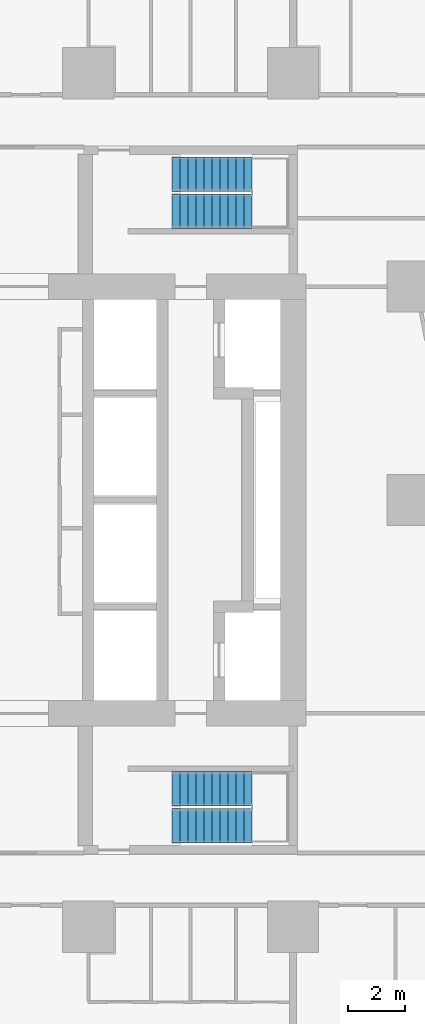
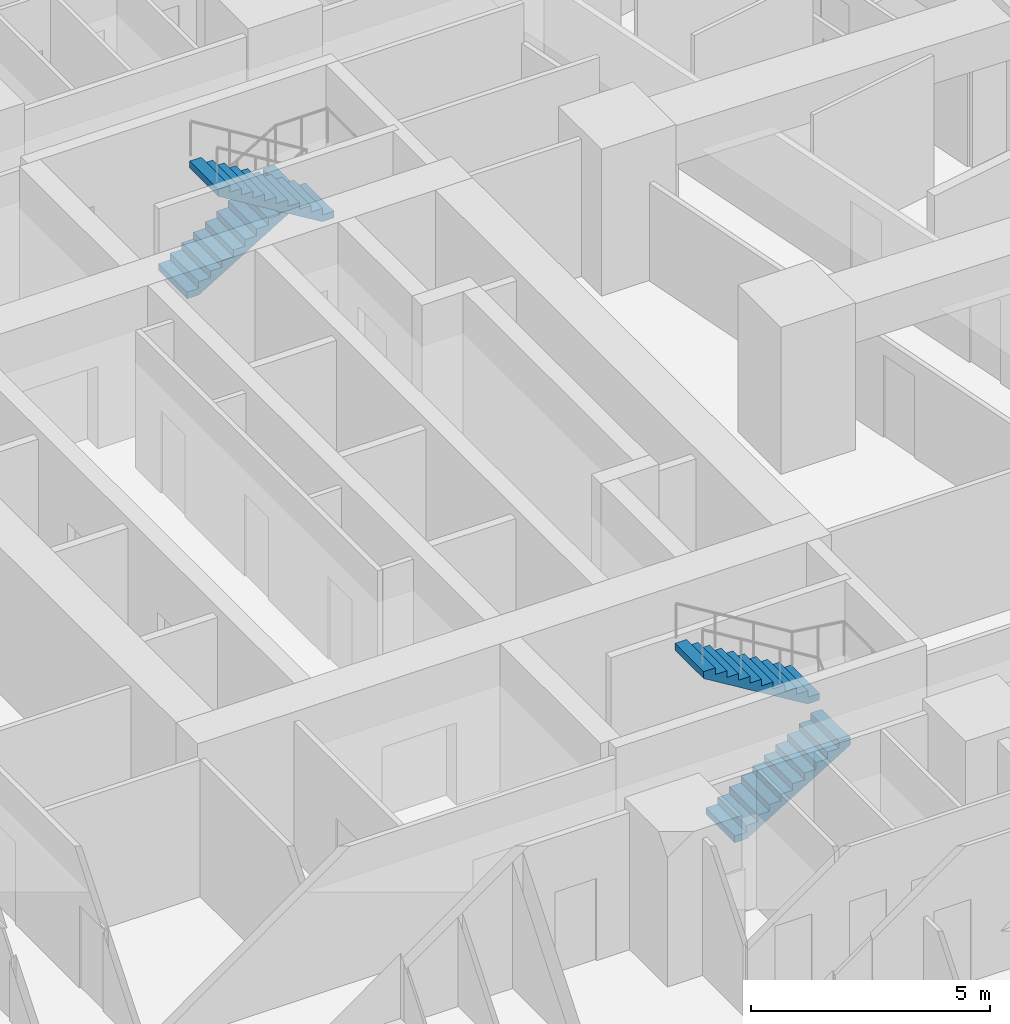
# One storey, part 13 of 16: 4 stair flights, 2 elements without a shape of their own.
"""IFC4 building model written with IfcOpenShell, lengths in metres."""

from ifc_helpers import new_model, si_unit, direction, frame, origin, place, context, subcontext, project, spatial, triangles, material, type_object, element, aggregate, save


model = new_model("IFC4")

# Units and contexts
model_context = context("Model", 3, precision=1e-05, world=origin(), true_north=direction((0.0, 1.0)))
body_context = subcontext(model_context, "Body", "Model", "MODEL_VIEW")
ifc_project = project(units=[si_unit("LENGTHUNIT", "METRE"), si_unit("AREAUNIT", "SQUARE_METRE"), si_unit("VOLUMEUNIT", "CUBIC_METRE"), si_unit("PLANEANGLEUNIT", "RADIAN"), si_unit("MASSUNIT", "GRAM", prefix="KILO")], contexts=[model_context])

# Site, building, storey
site_placement = place(None, origin())
site = spatial("IfcSite", under=ifc_project, at=site_placement, CompositionType="ELEMENT")
building_placement = place(site_placement, origin())
building = spatial("IfcBuilding", under=site, at=building_placement, Name="Sheger Commons Tower", CompositionType="ELEMENT")
storey_placement = place(building_placement, frame((0.0, 0.0, 61.25)))
storey = spatial("IfcBuildingStorey", under=building, at=storey_placement, Name="L15", CompositionType="ELEMENT", Elevation=61.25)

# Stair, stair flights
ifc_material_1 = material(Name="Concrete C35/45", Category="concrete")
stair_type = type_object("IfcStairType", Name="HALF-TURN STAIR 1200 RISE 3750", PredefinedType="HALF_TURN_STAIR", material=ifc_material_1)
stair_1_placement = place(storey_placement, origin())
stair_1 = element("IfcStair", 1, at=stair_1_placement, inside=storey, type_object=stair_type, Name="Stair S1 L15", PredefinedType="HALF_TURN_STAIR")
ifc_material_2 = material(Name="Concrete C35/45", Category="concrete")
stair_flight_type = type_object("IfcStairFlightType", Name="STAIR FLIGHT 1200 11 RISERS OF 170", PredefinedType="STRAIGHT", material=ifc_material_2)
stair_flight_1_placement = place(storey_placement, frame((24.550048828125, 11.050048828125, 0.0), z_axis=(0.0, 0.0, 1.0), x_axis=(1.0, 0.0, 0.0)))
stair_flight_1 = element("IfcStairFlight", 2, at=stair_flight_1_placement, type_object=stair_flight_type, Name="S1 flight 1", NumberOfRisers=11, NumberOfTreads=10, PredefinedType="STRAIGHT", RiserHeight=0.170454545, TreadLength=0.28, context=body_context, shape_type="Tessellation", body=[
    triangles([(0.0, 0.5999755859375, 0.0), (0.0, 0.5999755859375, 0.17041015625), (0.280029296875, 0.5999755859375, 0.17041015625), (0.280029296875, 0.5999755859375, 0.3408203125), (0.56005859375, 0.5999755859375, 0.3408203125), (0.56005859375, 0.5999755859375, 0.511474609375), (0.840087890625, 0.5999755859375, 0.511474609375), (0.840087890625, 0.5999755859375, 0.681884765625), (1.1201171875, 0.5999755859375, 0.681884765625), (1.1201171875, 0.5999755859375, 0.852294921875), (1.39990234375, 0.5999755859375, 0.852294921875), (1.39990234375, 0.5999755859375, 1.022705078125), (1.679931640625, 0.5999755859375, 1.022705078125), (1.679931640625, 0.5999755859375, 1.193115234375), (1.9599609375, 0.5999755859375, 1.193115234375), (1.9599609375, 0.5999755859375, 1.363525390625), (2.239990234375, 0.5999755859375, 1.363525390625), (2.239990234375, 0.5999755859375, 1.5341796875), (2.52001953125, 0.5999755859375, 1.5341796875), (2.52001953125, 0.5999755859375, 1.70458984375), (2.800048828125, 0.5999755859375, 1.70458984375), (2.800048828125, 0.5999755859375, 1.529052734375), (0.288330078125, 0.5999755859375, 0.0), (0.0, -0.5999755859375, 0.0), (0.0, -0.5999755859375, 0.17041015625), (0.280029296875, -0.5999755859375, 0.17041015625), (0.280029296875, -0.5999755859375, 0.3408203125), (0.56005859375, -0.5999755859375, 0.3408203125), (0.56005859375, -0.5999755859375, 0.511474609375), (0.840087890625, -0.5999755859375, 0.511474609375), (0.840087890625, -0.5999755859375, 0.681884765625), (1.1201171875, -0.5999755859375, 0.681884765625), (1.1201171875, -0.5999755859375, 0.852294921875), (1.39990234375, -0.5999755859375, 0.852294921875), (1.39990234375, -0.5999755859375, 1.022705078125), (1.679931640625, -0.5999755859375, 1.022705078125), (1.679931640625, -0.5999755859375, 1.193115234375), (1.9599609375, -0.5999755859375, 1.193115234375), (1.9599609375, -0.5999755859375, 1.363525390625), (2.239990234375, -0.5999755859375, 1.363525390625), (2.239990234375, -0.5999755859375, 1.5341796875), (2.52001953125, -0.5999755859375, 1.5341796875), (2.52001953125, -0.5999755859375, 1.70458984375), (2.800048828125, -0.5999755859375, 1.70458984375), (2.800048828125, -0.5999755859375, 1.529052734375), (0.288330078125, -0.5999755859375, 0.0), (0.0, 0.0, 0.085205078125), (0.1400146484375, 0.0, 0.17041015625), (0.280029296875, 0.0, 0.255615234375), (0.4200439453125, 0.0, 0.3408203125), (0.56005859375, 0.0, 0.4261474609375), (0.7000732421875, 0.0, 0.511474609375), (0.840087890625, 0.0, 0.5966796875), (0.9801025390625, 0.0, 0.681884765625), (1.1201171875, 0.0, 0.76708984375), (1.260009765625, 0.0, 0.852294921875), (1.39990234375, 0.0, 0.9375), (1.5399169921875, 0.0, 1.022705078125), (1.679931640625, 0.0, 1.10791015625), (1.8199462890625, 0.0, 1.193115234375), (1.9599609375, 0.0, 1.2783203125), (2.0999755859375, 0.0, 1.363525390625), (2.239990234375, 0.0, 1.4488525390625), (2.3800048828125, 0.0, 1.5341796875), (2.52001953125, 0.0, 1.619384765625), (2.6600341796875, 0.0, 1.70458984375), (2.800048828125, 0.0, 1.6168212890625), (1.544189453125, 0.0, 0.7645263671875), (0.1441650390625, 0.0, 0.0)], [[1, 22, 23], [24, 46, 45], [22, 20, 21], [45, 44, 43], [22, 19, 20], [45, 43, 42], [22, 18, 19], [45, 42, 41], [22, 17, 18], [45, 41, 40], [17, 15, 16], [40, 39, 38], [22, 15, 17], [45, 40, 38], [15, 13, 14], [38, 37, 36], [22, 13, 15], [45, 38, 36], [13, 11, 12], [36, 35, 34], [22, 11, 13], [45, 36, 34], [11, 9, 10], [34, 33, 32], [22, 9, 11], [45, 34, 32], [9, 7, 8], [32, 31, 30], [22, 7, 9], [45, 32, 30], [7, 5, 6], [30, 29, 28], [22, 5, 7], [45, 30, 28], [5, 3, 4], [28, 27, 26], [22, 3, 5], [45, 28, 26], [1, 3, 22], [24, 45, 26], [3, 1, 2], [26, 25, 24], [1, 47, 2], [2, 47, 25], [25, 47, 24], [24, 47, 1], [2, 48, 3], [3, 48, 26], [26, 48, 25], [25, 48, 2], [3, 49, 4], [4, 49, 27], [27, 49, 26], [26, 49, 3], [4, 50, 5], [5, 50, 28], [28, 50, 27], [27, 50, 4], [5, 51, 6], [6, 51, 29], [29, 51, 28], [28, 51, 5], [6, 52, 7], [7, 52, 30], [30, 52, 29], [29, 52, 6], [7, 53, 8], [8, 53, 31], [31, 53, 30], [30, 53, 7], [8, 54, 9], [9, 54, 32], [32, 54, 31], [31, 54, 8], [9, 55, 10], [10, 55, 33], [33, 55, 32], [32, 55, 9], [10, 56, 11], [11, 56, 34], [34, 56, 33], [33, 56, 10], [11, 57, 12], [12, 57, 35], [35, 57, 34], [34, 57, 11], [12, 58, 13], [13, 58, 36], [36, 58, 35], [35, 58, 12], [13, 59, 14], [14, 59, 37], [37, 59, 36], [36, 59, 13], [14, 60, 15], [15, 60, 38], [38, 60, 37], [37, 60, 14], [15, 61, 16], [16, 61, 39], [39, 61, 38], [38, 61, 15], [16, 62, 17], [17, 62, 40], [40, 62, 39], [39, 62, 16], [17, 63, 18], [18, 63, 41], [41, 63, 40], [40, 63, 17], [18, 64, 19], [19, 64, 42], [42, 64, 41], [41, 64, 18], [19, 65, 20], [20, 65, 43], [43, 65, 42], [42, 65, 19], [20, 66, 21], [21, 66, 44], [44, 66, 43], [43, 66, 20], [21, 67, 22], [22, 67, 45], [45, 67, 44], [44, 67, 21], [22, 68, 23], [23, 68, 46], [46, 68, 45], [45, 68, 22], [23, 69, 1], [1, 69, 24], [24, 69, 46], [46, 69, 23]], closed=True),
])
stair_flight_2_placement = place(storey_placement, frame((27.35009765625, 12.35009765625, 1.875), z_axis=(0.0, 0.0, 1.0), x_axis=(-1.0, 0.0, 0.0)))
stair_flight_2 = element("IfcStairFlight", 3, at=stair_flight_2_placement, type_object=stair_flight_type, Name="S1 flight 2", NumberOfRisers=11, NumberOfTreads=10, PredefinedType="STRAIGHT", RiserHeight=0.170454545, TreadLength=0.28, context=body_context, shape_type="Tessellation", body=[
    triangles([(0.0, 0.5999755859375, 0.0), (0.0, 0.5999755859375, 0.17041015625), (0.280029296875, 0.5999755859375, 0.17041015625), (0.280029296875, 0.5999755859375, 0.3408203125), (0.56005859375, 0.5999755859375, 0.3408203125), (0.56005859375, 0.5999755859375, 0.511474609375), (0.840087890625, 0.5999755859375, 0.511474609375), (0.840087890625, 0.5999755859375, 0.681884765625), (1.1201171875, 0.5999755859375, 0.681884765625), (1.1201171875, 0.5999755859375, 0.852294921875), (1.39990234375, 0.5999755859375, 0.852294921875), (1.39990234375, 0.5999755859375, 1.022705078125), (1.679931640625, 0.5999755859375, 1.022705078125), (1.679931640625, 0.5999755859375, 1.193115234375), (1.9599609375, 0.5999755859375, 1.193115234375), (1.9599609375, 0.5999755859375, 1.363525390625), (2.239990234375, 0.5999755859375, 1.363525390625), (2.239990234375, 0.5999755859375, 1.5341796875), (2.52001953125, 0.5999755859375, 1.5341796875), (2.52001953125, 0.5999755859375, 1.70458984375), (2.800048828125, 0.5999755859375, 1.70458984375), (2.800048828125, 0.5999755859375, 1.529052734375), (0.288330078125, 0.5999755859375, 0.0), (0.0, -0.5999755859375, 0.0), (0.0, -0.5999755859375, 0.17041015625), (0.280029296875, -0.5999755859375, 0.17041015625), (0.280029296875, -0.5999755859375, 0.3408203125), (0.56005859375, -0.5999755859375, 0.3408203125), (0.56005859375, -0.5999755859375, 0.511474609375), (0.840087890625, -0.5999755859375, 0.511474609375), (0.840087890625, -0.5999755859375, 0.681884765625), (1.1201171875, -0.5999755859375, 0.681884765625), (1.1201171875, -0.5999755859375, 0.852294921875), (1.39990234375, -0.5999755859375, 0.852294921875), (1.39990234375, -0.5999755859375, 1.022705078125), (1.679931640625, -0.5999755859375, 1.022705078125), (1.679931640625, -0.5999755859375, 1.193115234375), (1.9599609375, -0.5999755859375, 1.193115234375), (1.9599609375, -0.5999755859375, 1.363525390625), (2.239990234375, -0.5999755859375, 1.363525390625), (2.239990234375, -0.5999755859375, 1.5341796875), (2.52001953125, -0.5999755859375, 1.5341796875), (2.52001953125, -0.5999755859375, 1.70458984375), (2.800048828125, -0.5999755859375, 1.70458984375), (2.800048828125, -0.5999755859375, 1.529052734375), (0.288330078125, -0.5999755859375, 0.0), (0.0, 0.0, 0.085205078125), (0.1400146484375, 0.0, 0.17041015625), (0.280029296875, 0.0, 0.255615234375), (0.4200439453125, 0.0, 0.3408203125), (0.56005859375, 0.0, 0.4261474609375), (0.7000732421875, 0.0, 0.511474609375), (0.840087890625, 0.0, 0.5966796875), (0.9801025390625, 0.0, 0.681884765625), (1.1201171875, 0.0, 0.76708984375), (1.260009765625, 0.0, 0.852294921875), (1.39990234375, 0.0, 0.9375), (1.5399169921875, 0.0, 1.022705078125), (1.679931640625, 0.0, 1.10791015625), (1.8199462890625, 0.0, 1.193115234375), (1.9599609375, 0.0, 1.2783203125), (2.0999755859375, 0.0, 1.363525390625), (2.239990234375, 0.0, 1.4488525390625), (2.3800048828125, 0.0, 1.5341796875), (2.52001953125, 0.0, 1.619384765625), (2.6600341796875, 0.0, 1.70458984375), (2.800048828125, 0.0, 1.6168212890625), (1.544189453125, 0.0, 0.7645263671875), (0.1441650390625, 0.0, 0.0)], [[1, 22, 23], [24, 46, 45], [22, 20, 21], [45, 44, 43], [22, 19, 20], [45, 43, 42], [22, 18, 19], [45, 42, 41], [22, 17, 18], [45, 41, 40], [17, 15, 16], [40, 39, 38], [22, 15, 17], [45, 40, 38], [15, 13, 14], [38, 37, 36], [22, 13, 15], [45, 38, 36], [13, 11, 12], [36, 35, 34], [22, 11, 13], [45, 36, 34], [11, 9, 10], [34, 33, 32], [22, 9, 11], [45, 34, 32], [9, 7, 8], [32, 31, 30], [22, 7, 9], [45, 32, 30], [7, 5, 6], [30, 29, 28], [22, 5, 7], [45, 30, 28], [5, 3, 4], [28, 27, 26], [22, 3, 5], [45, 28, 26], [1, 3, 22], [24, 45, 26], [3, 1, 2], [26, 25, 24], [1, 47, 2], [2, 47, 25], [25, 47, 24], [24, 47, 1], [2, 48, 3], [3, 48, 26], [26, 48, 25], [25, 48, 2], [3, 49, 4], [4, 49, 27], [27, 49, 26], [26, 49, 3], [4, 50, 5], [5, 50, 28], [28, 50, 27], [27, 50, 4], [5, 51, 6], [6, 51, 29], [29, 51, 28], [28, 51, 5], [6, 52, 7], [7, 52, 30], [30, 52, 29], [29, 52, 6], [7, 53, 8], [8, 53, 31], [31, 53, 30], [30, 53, 7], [8, 54, 9], [9, 54, 32], [32, 54, 31], [31, 54, 8], [9, 55, 10], [10, 55, 33], [33, 55, 32], [32, 55, 9], [10, 56, 11], [11, 56, 34], [34, 56, 33], [33, 56, 10], [11, 57, 12], [12, 57, 35], [35, 57, 34], [34, 57, 11], [12, 58, 13], [13, 58, 36], [36, 58, 35], [35, 58, 12], [13, 59, 14], [14, 59, 37], [37, 59, 36], [36, 59, 13], [14, 60, 15], [15, 60, 38], [38, 60, 37], [37, 60, 14], [15, 61, 16], [16, 61, 39], [39, 61, 38], [38, 61, 15], [16, 62, 17], [17, 62, 40], [40, 62, 39], [39, 62, 16], [17, 63, 18], [18, 63, 41], [41, 63, 40], [40, 63, 17], [18, 64, 19], [19, 64, 42], [42, 64, 41], [41, 64, 18], [19, 65, 20], [20, 65, 43], [43, 65, 42], [42, 65, 19], [20, 66, 21], [21, 66, 44], [44, 66, 43], [43, 66, 20], [21, 67, 22], [22, 67, 45], [45, 67, 44], [44, 67, 21], [22, 68, 23], [23, 68, 46], [46, 68, 45], [45, 68, 22], [23, 69, 1], [1, 69, 24], [24, 69, 46], [46, 69, 23]], closed=True),
])
aggregate(stair_1, [stair_flight_1, stair_flight_2])

stair_2_placement = place(storey_placement, origin())
stair_2 = element("IfcStair", 4, at=stair_2_placement, inside=storey, type_object=stair_type, Name="Stair S2 L15", PredefinedType="HALF_TURN_STAIR")
stair_flight_3_placement = place(storey_placement, frame((24.550048828125, 33.949951171875, 0.0), z_axis=(0.0, 0.0, 1.0), x_axis=(1.0, 0.0, 0.0)))
stair_flight_3 = element("IfcStairFlight", 5, at=stair_flight_3_placement, type_object=stair_flight_type, Name="S2 flight 1", NumberOfRisers=11, NumberOfTreads=10, PredefinedType="STRAIGHT", RiserHeight=0.170454545, TreadLength=0.28, context=body_context, shape_type="Tessellation", body=[
    triangles([(0.0, 0.5999755859375, 0.0), (0.0, 0.5999755859375, 0.17041015625), (0.280029296875, 0.5999755859375, 0.17041015625), (0.280029296875, 0.5999755859375, 0.3408203125), (0.56005859375, 0.5999755859375, 0.3408203125), (0.56005859375, 0.5999755859375, 0.511474609375), (0.840087890625, 0.5999755859375, 0.511474609375), (0.840087890625, 0.5999755859375, 0.681884765625), (1.1201171875, 0.5999755859375, 0.681884765625), (1.1201171875, 0.5999755859375, 0.852294921875), (1.39990234375, 0.5999755859375, 0.852294921875), (1.39990234375, 0.5999755859375, 1.022705078125), (1.679931640625, 0.5999755859375, 1.022705078125), (1.679931640625, 0.5999755859375, 1.193115234375), (1.9599609375, 0.5999755859375, 1.193115234375), (1.9599609375, 0.5999755859375, 1.363525390625), (2.239990234375, 0.5999755859375, 1.363525390625), (2.239990234375, 0.5999755859375, 1.5341796875), (2.52001953125, 0.5999755859375, 1.5341796875), (2.52001953125, 0.5999755859375, 1.70458984375), (2.800048828125, 0.5999755859375, 1.70458984375), (2.800048828125, 0.5999755859375, 1.529052734375), (0.288330078125, 0.5999755859375, 0.0), (0.0, -0.5999755859375, 0.0), (0.0, -0.5999755859375, 0.17041015625), (0.280029296875, -0.5999755859375, 0.17041015625), (0.280029296875, -0.5999755859375, 0.3408203125), (0.56005859375, -0.5999755859375, 0.3408203125), (0.56005859375, -0.5999755859375, 0.511474609375), (0.840087890625, -0.5999755859375, 0.511474609375), (0.840087890625, -0.5999755859375, 0.681884765625), (1.1201171875, -0.5999755859375, 0.681884765625), (1.1201171875, -0.5999755859375, 0.852294921875), (1.39990234375, -0.5999755859375, 0.852294921875), (1.39990234375, -0.5999755859375, 1.022705078125), (1.679931640625, -0.5999755859375, 1.022705078125), (1.679931640625, -0.5999755859375, 1.193115234375), (1.9599609375, -0.5999755859375, 1.193115234375), (1.9599609375, -0.5999755859375, 1.363525390625), (2.239990234375, -0.5999755859375, 1.363525390625), (2.239990234375, -0.5999755859375, 1.5341796875), (2.52001953125, -0.5999755859375, 1.5341796875), (2.52001953125, -0.5999755859375, 1.70458984375), (2.800048828125, -0.5999755859375, 1.70458984375), (2.800048828125, -0.5999755859375, 1.529052734375), (0.288330078125, -0.5999755859375, 0.0), (0.0, 0.0, 0.085205078125), (0.1400146484375, 0.0, 0.17041015625), (0.280029296875, 0.0, 0.255615234375), (0.4200439453125, 0.0, 0.3408203125), (0.56005859375, 0.0, 0.4261474609375), (0.7000732421875, 0.0, 0.511474609375), (0.840087890625, 0.0, 0.5966796875), (0.9801025390625, 0.0, 0.681884765625), (1.1201171875, 0.0, 0.76708984375), (1.260009765625, 0.0, 0.852294921875), (1.39990234375, 0.0, 0.9375), (1.5399169921875, 0.0, 1.022705078125), (1.679931640625, 0.0, 1.10791015625), (1.8199462890625, 0.0, 1.193115234375), (1.9599609375, 0.0, 1.2783203125), (2.0999755859375, 0.0, 1.363525390625), (2.239990234375, 0.0, 1.4488525390625), (2.3800048828125, 0.0, 1.5341796875), (2.52001953125, 0.0, 1.619384765625), (2.6600341796875, 0.0, 1.70458984375), (2.800048828125, 0.0, 1.6168212890625), (1.544189453125, 0.0, 0.7645263671875), (0.1441650390625, 0.0, 0.0)], [[1, 22, 23], [24, 46, 45], [22, 20, 21], [45, 44, 43], [22, 19, 20], [45, 43, 42], [22, 18, 19], [45, 42, 41], [22, 17, 18], [45, 41, 40], [17, 15, 16], [40, 39, 38], [22, 15, 17], [45, 40, 38], [15, 13, 14], [38, 37, 36], [22, 13, 15], [45, 38, 36], [13, 11, 12], [36, 35, 34], [22, 11, 13], [45, 36, 34], [11, 9, 10], [34, 33, 32], [22, 9, 11], [45, 34, 32], [9, 7, 8], [32, 31, 30], [22, 7, 9], [45, 32, 30], [7, 5, 6], [30, 29, 28], [22, 5, 7], [45, 30, 28], [5, 3, 4], [28, 27, 26], [22, 3, 5], [45, 28, 26], [1, 3, 22], [24, 45, 26], [3, 1, 2], [26, 25, 24], [1, 47, 2], [2, 47, 25], [25, 47, 24], [24, 47, 1], [2, 48, 3], [3, 48, 26], [26, 48, 25], [25, 48, 2], [3, 49, 4], [4, 49, 27], [27, 49, 26], [26, 49, 3], [4, 50, 5], [5, 50, 28], [28, 50, 27], [27, 50, 4], [5, 51, 6], [6, 51, 29], [29, 51, 28], [28, 51, 5], [6, 52, 7], [7, 52, 30], [30, 52, 29], [29, 52, 6], [7, 53, 8], [8, 53, 31], [31, 53, 30], [30, 53, 7], [8, 54, 9], [9, 54, 32], [32, 54, 31], [31, 54, 8], [9, 55, 10], [10, 55, 33], [33, 55, 32], [32, 55, 9], [10, 56, 11], [11, 56, 34], [34, 56, 33], [33, 56, 10], [11, 57, 12], [12, 57, 35], [35, 57, 34], [34, 57, 11], [12, 58, 13], [13, 58, 36], [36, 58, 35], [35, 58, 12], [13, 59, 14], [14, 59, 37], [37, 59, 36], [36, 59, 13], [14, 60, 15], [15, 60, 38], [38, 60, 37], [37, 60, 14], [15, 61, 16], [16, 61, 39], [39, 61, 38], [38, 61, 15], [16, 62, 17], [17, 62, 40], [40, 62, 39], [39, 62, 16], [17, 63, 18], [18, 63, 41], [41, 63, 40], [40, 63, 17], [18, 64, 19], [19, 64, 42], [42, 64, 41], [41, 64, 18], [19, 65, 20], [20, 65, 43], [43, 65, 42], [42, 65, 19], [20, 66, 21], [21, 66, 44], [44, 66, 43], [43, 66, 20], [21, 67, 22], [22, 67, 45], [45, 67, 44], [44, 67, 21], [22, 68, 23], [23, 68, 46], [46, 68, 45], [45, 68, 22], [23, 69, 1], [1, 69, 24], [24, 69, 46], [46, 69, 23]], closed=True),
])
stair_flight_4_placement = place(storey_placement, frame((27.35009765625, 32.64990234375, 1.875), z_axis=(0.0, 0.0, 1.0), x_axis=(-1.0, 0.0, 0.0)))
stair_flight_4 = element("IfcStairFlight", 6, at=stair_flight_4_placement, type_object=stair_flight_type, Name="S2 flight 2", NumberOfRisers=11, NumberOfTreads=10, PredefinedType="STRAIGHT", RiserHeight=0.170454545, TreadLength=0.28, context=body_context, shape_type="Tessellation", body=[
    triangles([(0.0, 0.5999755859375, 0.0), (0.0, 0.5999755859375, 0.17041015625), (0.280029296875, 0.5999755859375, 0.17041015625), (0.280029296875, 0.5999755859375, 0.3408203125), (0.56005859375, 0.5999755859375, 0.3408203125), (0.56005859375, 0.5999755859375, 0.511474609375), (0.840087890625, 0.5999755859375, 0.511474609375), (0.840087890625, 0.5999755859375, 0.681884765625), (1.1201171875, 0.5999755859375, 0.681884765625), (1.1201171875, 0.5999755859375, 0.852294921875), (1.39990234375, 0.5999755859375, 0.852294921875), (1.39990234375, 0.5999755859375, 1.022705078125), (1.679931640625, 0.5999755859375, 1.022705078125), (1.679931640625, 0.5999755859375, 1.193115234375), (1.9599609375, 0.5999755859375, 1.193115234375), (1.9599609375, 0.5999755859375, 1.363525390625), (2.239990234375, 0.5999755859375, 1.363525390625), (2.239990234375, 0.5999755859375, 1.5341796875), (2.52001953125, 0.5999755859375, 1.5341796875), (2.52001953125, 0.5999755859375, 1.70458984375), (2.800048828125, 0.5999755859375, 1.70458984375), (2.800048828125, 0.5999755859375, 1.529052734375), (0.288330078125, 0.5999755859375, 0.0), (0.0, -0.5999755859375, 0.0), (0.0, -0.5999755859375, 0.17041015625), (0.280029296875, -0.5999755859375, 0.17041015625), (0.280029296875, -0.5999755859375, 0.3408203125), (0.56005859375, -0.5999755859375, 0.3408203125), (0.56005859375, -0.5999755859375, 0.511474609375), (0.840087890625, -0.5999755859375, 0.511474609375), (0.840087890625, -0.5999755859375, 0.681884765625), (1.1201171875, -0.5999755859375, 0.681884765625), (1.1201171875, -0.5999755859375, 0.852294921875), (1.39990234375, -0.5999755859375, 0.852294921875), (1.39990234375, -0.5999755859375, 1.022705078125), (1.679931640625, -0.5999755859375, 1.022705078125), (1.679931640625, -0.5999755859375, 1.193115234375), (1.9599609375, -0.5999755859375, 1.193115234375), (1.9599609375, -0.5999755859375, 1.363525390625), (2.239990234375, -0.5999755859375, 1.363525390625), (2.239990234375, -0.5999755859375, 1.5341796875), (2.52001953125, -0.5999755859375, 1.5341796875), (2.52001953125, -0.5999755859375, 1.70458984375), (2.800048828125, -0.5999755859375, 1.70458984375), (2.800048828125, -0.5999755859375, 1.529052734375), (0.288330078125, -0.5999755859375, 0.0), (0.0, 0.0, 0.085205078125), (0.1400146484375, 0.0, 0.17041015625), (0.280029296875, 0.0, 0.255615234375), (0.4200439453125, 0.0, 0.3408203125), (0.56005859375, 0.0, 0.4261474609375), (0.7000732421875, 0.0, 0.511474609375), (0.840087890625, 0.0, 0.5966796875), (0.9801025390625, 0.0, 0.681884765625), (1.1201171875, 0.0, 0.76708984375), (1.260009765625, 0.0, 0.852294921875), (1.39990234375, 0.0, 0.9375), (1.5399169921875, 0.0, 1.022705078125), (1.679931640625, 0.0, 1.10791015625), (1.8199462890625, 0.0, 1.193115234375), (1.9599609375, 0.0, 1.2783203125), (2.0999755859375, 0.0, 1.363525390625), (2.239990234375, 0.0, 1.4488525390625), (2.3800048828125, 0.0, 1.5341796875), (2.52001953125, 0.0, 1.619384765625), (2.6600341796875, 0.0, 1.70458984375), (2.800048828125, 0.0, 1.6168212890625), (1.544189453125, 0.0, 0.7645263671875), (0.1441650390625, 0.0, 0.0)], [[1, 22, 23], [24, 46, 45], [22, 20, 21], [45, 44, 43], [22, 19, 20], [45, 43, 42], [22, 18, 19], [45, 42, 41], [22, 17, 18], [45, 41, 40], [17, 15, 16], [40, 39, 38], [22, 15, 17], [45, 40, 38], [15, 13, 14], [38, 37, 36], [22, 13, 15], [45, 38, 36], [13, 11, 12], [36, 35, 34], [22, 11, 13], [45, 36, 34], [11, 9, 10], [34, 33, 32], [22, 9, 11], [45, 34, 32], [9, 7, 8], [32, 31, 30], [22, 7, 9], [45, 32, 30], [7, 5, 6], [30, 29, 28], [22, 5, 7], [45, 30, 28], [5, 3, 4], [28, 27, 26], [22, 3, 5], [45, 28, 26], [1, 3, 22], [24, 45, 26], [3, 1, 2], [26, 25, 24], [1, 47, 2], [2, 47, 25], [25, 47, 24], [24, 47, 1], [2, 48, 3], [3, 48, 26], [26, 48, 25], [25, 48, 2], [3, 49, 4], [4, 49, 27], [27, 49, 26], [26, 49, 3], [4, 50, 5], [5, 50, 28], [28, 50, 27], [27, 50, 4], [5, 51, 6], [6, 51, 29], [29, 51, 28], [28, 51, 5], [6, 52, 7], [7, 52, 30], [30, 52, 29], [29, 52, 6], [7, 53, 8], [8, 53, 31], [31, 53, 30], [30, 53, 7], [8, 54, 9], [9, 54, 32], [32, 54, 31], [31, 54, 8], [9, 55, 10], [10, 55, 33], [33, 55, 32], [32, 55, 9], [10, 56, 11], [11, 56, 34], [34, 56, 33], [33, 56, 10], [11, 57, 12], [12, 57, 35], [35, 57, 34], [34, 57, 11], [12, 58, 13], [13, 58, 36], [36, 58, 35], [35, 58, 12], [13, 59, 14], [14, 59, 37], [37, 59, 36], [36, 59, 13], [14, 60, 15], [15, 60, 38], [38, 60, 37], [37, 60, 14], [15, 61, 16], [16, 61, 39], [39, 61, 38], [38, 61, 15], [16, 62, 17], [17, 62, 40], [40, 62, 39], [39, 62, 16], [17, 63, 18], [18, 63, 41], [41, 63, 40], [40, 63, 17], [18, 64, 19], [19, 64, 42], [42, 64, 41], [41, 64, 18], [19, 65, 20], [20, 65, 43], [43, 65, 42], [42, 65, 19], [20, 66, 21], [21, 66, 44], [44, 66, 43], [43, 66, 20], [21, 67, 22], [22, 67, 45], [45, 67, 44], [44, 67, 21], [22, 68, 23], [23, 68, 46], [46, 68, 45], [45, 68, 22], [23, 69, 1], [1, 69, 24], [24, 69, 46], [46, 69, 23]], closed=True),
])
aggregate(stair_2, [stair_flight_3, stair_flight_4])

save(model, "model.ifc")
